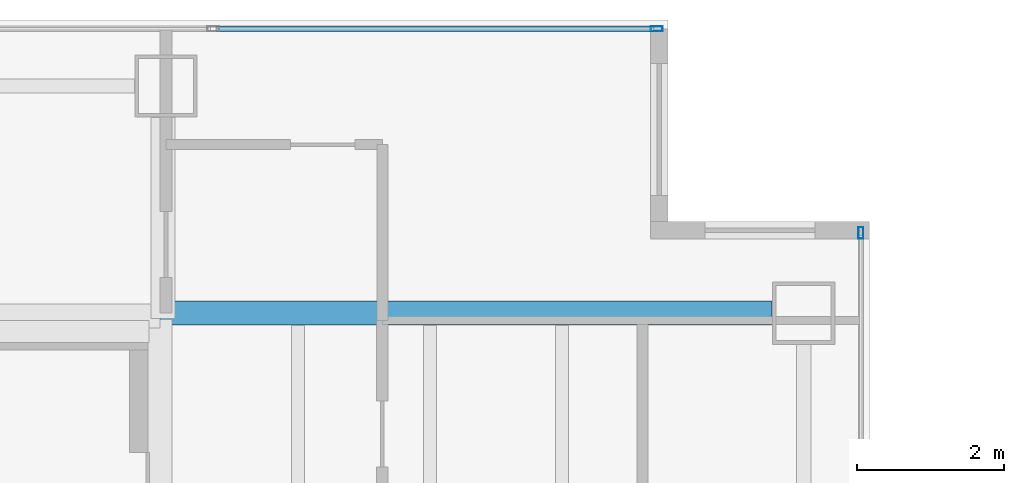
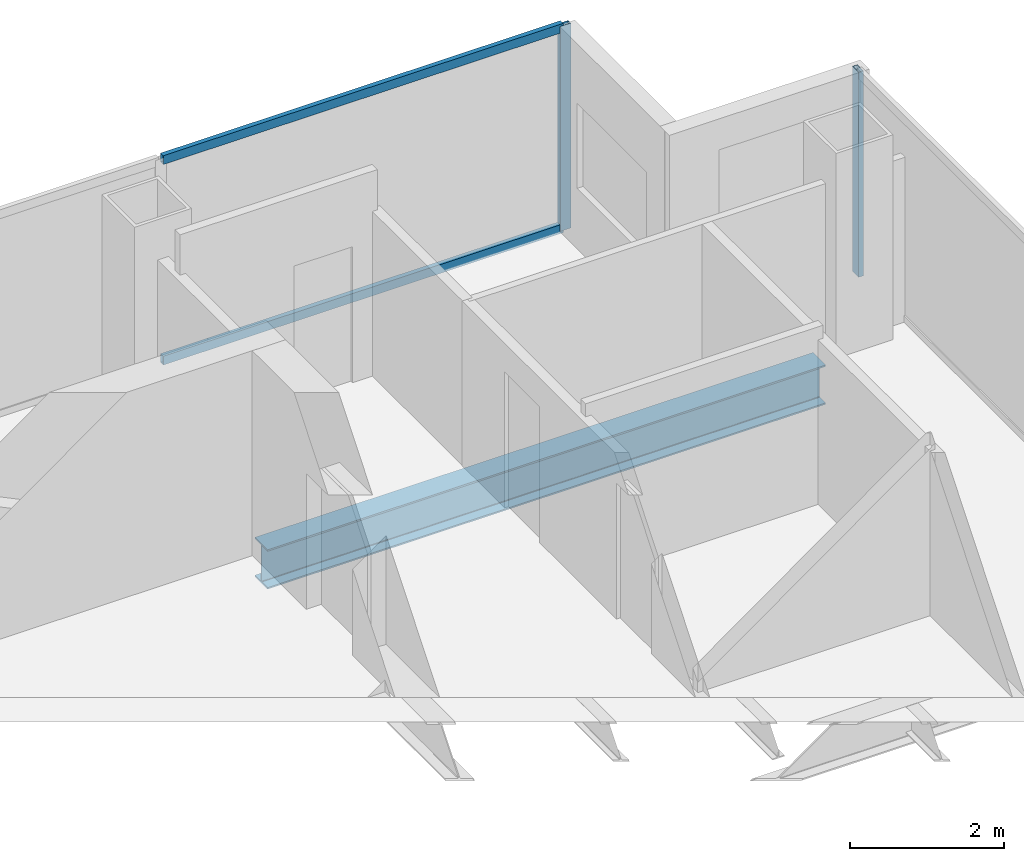
# One storey, part 18 of 23: 4 members, 1 beam, 2 elements without a shape of their own.
"""IFC4 building model written with IfcOpenShell, lengths in metres."""

from ifc_helpers import new_model, si_unit, direction, frame, origin, origin_2d, place, context, subcontext, project, spatial, hollow_rectangle, i_section, extrude, material, material_profile, profile_set, type_object, element, aggregate, save


model = new_model("IFC4")

# Units and contexts
model_context = context("Model", 3, precision=1e-05, world=origin(), true_north=direction((0.0, 1.0)))
body_context = subcontext(model_context, "Body", "Model", "MODEL_VIEW")
ifc_project = project(units=[si_unit("LENGTHUNIT", "METRE"), si_unit("AREAUNIT", "SQUARE_METRE"), si_unit("VOLUMEUNIT", "CUBIC_METRE"), si_unit("PLANEANGLEUNIT", "RADIAN"), si_unit("MASSUNIT", "GRAM", prefix="KILO")], contexts=[model_context])

# Site, building, storey
site_placement = place(None, origin())
site = spatial("IfcSite", under=ifc_project, at=site_placement, CompositionType="ELEMENT")
building_placement = place(site_placement, origin())
building = spatial("IfcBuilding", under=site, at=building_placement, Name="Cobrela Telecom Tower", CompositionType="ELEMENT")
storey_placement = place(building_placement, frame((0.0, 0.0, 183.75)))
storey = spatial("IfcBuildingStorey", under=building, at=storey_placement, Name="L46", CompositionType="ELEMENT", Elevation=183.75)

# Beam
ifc_material_1 = material(Name="Steel ASTM A992 Grade 50", Category="steel")
ifc_material_profile_1 = material_profile(ifc_material_1, i_section(OverallWidth=0.327880859375, OverallDepth=0.6220703125, WebThickness=0.015380859375, FlangeThickness=0.0244140625, FilletRadius=0.014892578125, at=origin_2d()), Name="W24X131")
ifc_profile_set_1 = profile_set([ifc_material_profile_1], Name="Steel ASTM A992 Grade 50")
beam_type = type_object("IfcBeamType", Name="BM-GIRD-06", PredefinedType="USERDEFINED", material=ifc_profile_set_1)
beam_placement = place(storey_placement, frame((14.324951171875, 36.0, -0.571044921875), z_axis=(1.0, 0.0, 0.0), x_axis=(0.0, 1.0, 0.0)))
element("IfcBeam", 1, at=beam_placement, inside=storey, type_object=beam_type, Name="L46 Primary Girder X22", ObjectType="GIRDER", PredefinedType="USERDEFINED", context=body_context, shape_type="SweptSolid", body=[
    extrude(i_section(OverallWidth=0.327880859375, OverallDepth=0.6220703125, WebThickness=0.015380859375, FlangeThickness=0.0244140625, FilletRadius=0.014892578125, at=origin_2d()), origin(), (0.0, 0.0, 1.0), 8.344970703125),
])

# Curtain wall, member
ifc_material_2 = material(Name="Anodized Bronze Aluminium 6063-T6", Category="aluminium")
curtain_wall_type = type_object("IfcCurtainWallType", Name="CW-SYS-OFF-LO", PredefinedType="USERDEFINED", material=ifc_material_2)
curtain_wall_1_placement = place(storey_placement, origin())
curtain_wall_1 = element("IfcCurtainWall", 2, at=curtain_wall_1_placement, inside=storey, type_object=curtain_wall_type, Name="L46 Unitised Bronze Curtain Wall 07", ObjectType="UNITISED CURTAIN WALL", PredefinedType="USERDEFINED")
ifc_material_profile_2 = material_profile(ifc_material_2, hollow_rectangle(XDim=0.070068359375, YDim=0.159912109375, WallThickness=0.00390625, at=origin_2d()), Name="ALU 70x160x4")
ifc_profile_set_2 = profile_set([ifc_material_profile_2], Name="Anodized Bronze Aluminium 6063-T6")
member_type_1 = type_object("IfcMemberType", Name="CW-SYS-OFF-LO-MUL", PredefinedType="MULLION", material=ifc_profile_set_2)
member_1_placement = place(storey_placement, frame((21.094970703125, 39.8798828125, 0.0), z_axis=(0.0, 0.0, 1.0), x_axis=(0.0, 1.0, 0.0)))
member_1 = element("IfcMember", 3, at=member_1_placement, type_object=member_type_1, Name="CW-OFF-LO mullion 4", PredefinedType="MULLION", context=body_context, shape_type="SweptSolid", body=[
    extrude(hollow_rectangle(XDim=0.070068359375, YDim=0.159912109375, WallThickness=0.00390625, at=origin_2d()), origin(), (0.0, 0.0, 1.0), 3.239990234375),
])

curtain_wall_2_placement = place(storey_placement, origin())
curtain_wall_2 = element("IfcCurtainWall", 4, at=curtain_wall_2_placement, inside=storey, type_object=curtain_wall_type, Name="L46 Unitised Bronze Curtain Wall 10", ObjectType="UNITISED CURTAIN WALL", PredefinedType="USERDEFINED")
member_2_placement = place(storey_placement, frame((23.8798828125, 37.094970703125, 0.0), z_axis=(0.0, 0.0, 1.0), x_axis=(1.0, 0.0, 0.0)))
member_2 = element("IfcMember", 5, at=member_2_placement, type_object=member_type_1, Name="CW-OFF-LO mullion 1", PredefinedType="MULLION", context=body_context, shape_type="SweptSolid", body=[
    extrude(hollow_rectangle(XDim=0.070068359375, YDim=0.159912109375, WallThickness=0.00390625, at=origin_2d()), origin(), (0.0, 0.0, 1.0), 3.239990234375),
])
aggregate(curtain_wall_2, [member_2])

# Member
ifc_material_profile_3 = material_profile(ifc_material_2, hollow_rectangle(XDim=0.070068359375, YDim=0.139892578125, WallThickness=0.00390625, at=origin_2d()), Name="ALU 70x140x4")
ifc_profile_set_3 = profile_set([ifc_material_profile_3], Name="Anodized Bronze Aluminium 6063-T6")
member_type_2 = type_object("IfcMemberType", Name="CW-SYS-OFF-LO-TRN", PredefinedType="USERDEFINED", material=ifc_profile_set_3)
member_3_placement = place(storey_placement, frame((15.078369140625, 39.8798828125, 0.034912109375), z_axis=(1.0, 0.0, 0.0), x_axis=(0.0, 1.0, 0.0)))
member_3 = element("IfcMember", 6, at=member_3_placement, type_object=member_type_2, Name="CW-OFF-LO transom 3.1", ObjectType="TRANSOM", PredefinedType="USERDEFINED", context=body_context, shape_type="SweptSolid", body=[
    extrude(hollow_rectangle(XDim=0.070068359375, YDim=0.139892578125, WallThickness=0.00390625, at=origin_2d()), origin(), (0.0, 0.0, 1.0), 5.981689453125),
])

member_4_placement = place(storey_placement, frame((15.078369140625, 39.8798828125, 3.205078125), z_axis=(1.0, 0.0, 0.0), x_axis=(0.0, 1.0, 0.0)))
member_4 = element("IfcMember", 7, at=member_4_placement, type_object=member_type_2, Name="CW-OFF-LO transom 3.2", ObjectType="TRANSOM", PredefinedType="USERDEFINED", context=body_context, shape_type="SweptSolid", body=[
    extrude(hollow_rectangle(XDim=0.070068359375, YDim=0.139892578125, WallThickness=0.00390625, at=origin_2d()), origin(), (0.0, 0.0, 1.0), 5.981689453125),
])

aggregate(curtain_wall_1, [member_1, member_3, member_4])

save(model, "model.ifc")
